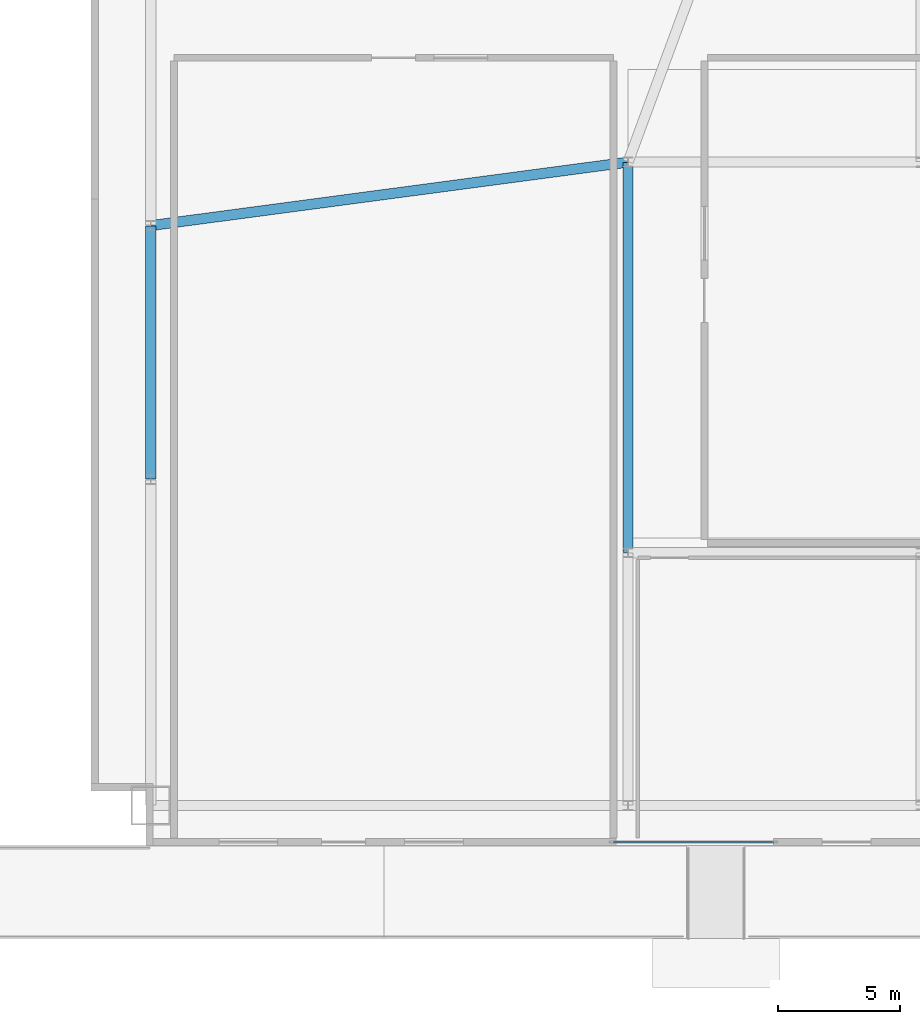
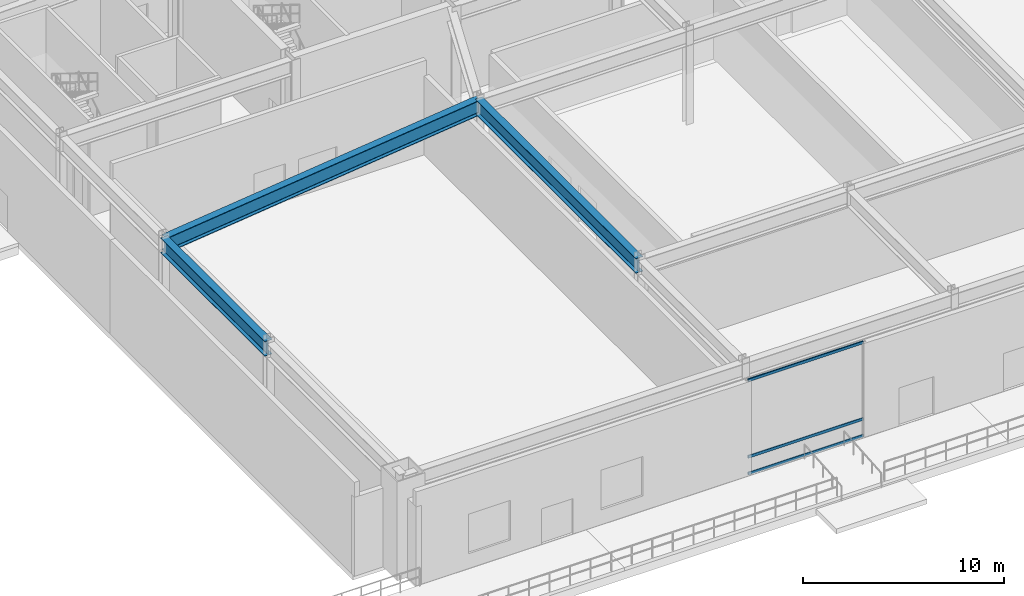
# One storey, part 5 of 17: 3 beams, 3 members, 1 element without a shape of its own.
"""IFC4 building model written with IfcOpenShell, lengths in metres."""

from ifc_helpers import new_model, si_unit, direction, frame, origin, origin_2d, place, context, subcontext, project, spatial, hollow_rectangle, i_section, extrude, source, transform, mapped, material, layer, layer_set, material_profile, profile_set, type_object, type_shapes, element, aggregate, save


model = new_model("IFC4")

# Units and contexts
model_context = context("Model", 3, precision=1e-05, world=origin(), true_north=direction((0.0, 1.0)))
body_context = subcontext(model_context, "Body", "Model", "MODEL_VIEW")
ifc_project = project(units=[si_unit("LENGTHUNIT", "METRE"), si_unit("AREAUNIT", "SQUARE_METRE"), si_unit("VOLUMEUNIT", "CUBIC_METRE"), si_unit("PLANEANGLEUNIT", "RADIAN"), si_unit("MASSUNIT", "GRAM", prefix="KILO")], contexts=[model_context])

# Site, building, storey
site_placement = place(None, origin())
site = spatial("IfcSite", under=ifc_project, at=site_placement, CompositionType="ELEMENT")
building_placement = place(site_placement, origin())
building = spatial("IfcBuilding", under=site, at=building_placement, Name="Varnel Quay Broadcast Tower", CompositionType="ELEMENT")
storey_placement = place(building_placement, origin())
storey = spatial("IfcBuildingStorey", under=building, at=storey_placement, Name="L00", CompositionType="ELEMENT", Elevation=0.0)

# Beams
ifc_material_1 = material(Name="Structural Steel CSA G40.21 350W", Category="steel")
ifc_material_profile_1 = material_profile(ifc_material_1, i_section(OverallWidth=0.41796875, OverallDepth=0.912109375, WebThickness=0.019287109375, FlangeThickness=0.031982421875, FilletRadius=0.02197265625, at=origin_2d()), Name="W920X342")
ifc_profile_set_1 = profile_set([ifc_material_profile_1], Name="Structural Steel CSA G40.21 350W")
beam_type = type_object("IfcBeamType", Name="Girder_W920X342", PredefinedType="BEAM", material=ifc_profile_set_1)
shared_shape_1 = source(origin(), body_context, "Body", "SweptSolid", [
    extrude(i_section(OverallWidth=0.41796875, OverallDepth=0.912109375, WebThickness=0.019287109375, FlangeThickness=0.031982421875, FilletRadius=0.02197265625, at=origin_2d()), origin(), (0.0, 0.0, 1.0), 10.35986328125),
])
beam_1_placement = place(storey_placement, frame((2.449951171875, 15.02001953125, 5.263916015625), z_axis=(0.0, 1.0, 0.0), x_axis=(-1.0, 0.0, 0.0)))
element("IfcBeam", 1, at=beam_1_placement, inside=storey, type_object=beam_type, Name="L00 Girder G-PW2", PredefinedType="BEAM", context=body_context, shape_type="MappedRepresentation", body=[
    mapped(shared_shape_1, transform((0.0, 0.0, 0.0), x_axis=(1.0, 0.0, 0.0), y_axis=(0.0, 1.0, 0.0), z_axis=(0.0, 0.0, 1.0), scale=1.0)),
])
shared_shape_2 = source(origin(), body_context, "Body", "SweptSolid", [
    extrude(i_section(OverallWidth=0.41796875, OverallDepth=0.912109375, WebThickness=0.019287109375, FlangeThickness=0.031982421875, FilletRadius=0.02197265625, at=origin_2d()), origin(), (0.0, 0.0, 1.0), 19.682373046875),
])
beam_2_placement = place(storey_placement, frame((2.4697265625, 25.402587890625, 5.263916015625), z_axis=(0.991272261072, 0.131830589885, 0.0), x_axis=(-0.131830589885, 0.991272261072, 0.0)))
element("IfcBeam", 2, at=beam_2_placement, inside=storey, type_object=beam_type, Name="L00 Girder G-STA2", PredefinedType="BEAM", context=body_context, shape_type="MappedRepresentation", body=[
    mapped(shared_shape_2, transform((0.0, 0.0, 0.0), x_axis=(1.0, 0.0, 0.0), y_axis=(0.0, 1.0, 0.0), z_axis=(0.0, 0.0, 1.0), scale=1.0)),
])
shared_shape_3 = source(origin(), body_context, "Body", "SweptSolid", [
    extrude(i_section(OverallWidth=0.41796875, OverallDepth=0.912109375, WebThickness=0.019287109375, FlangeThickness=0.031982421875, FilletRadius=0.02197265625, at=origin_2d()), origin(), (0.0, 0.0, 1.0), 15.9599609375),
])
type_shapes(beam_type, [shared_shape_1, shared_shape_2, shared_shape_3])
beam_3_placement = place(storey_placement, frame((22.0, 12.02001953125, 5.263916015625), z_axis=(0.0, 1.0, 0.0), x_axis=(-1.0, 0.0, 0.0)))
element("IfcBeam", 3, at=beam_3_placement, inside=storey, type_object=beam_type, Name="L00 Girder G-M2", PredefinedType="BEAM", context=body_context, shape_type="MappedRepresentation", body=[
    mapped(shared_shape_3, transform((0.0, 0.0, 0.0), x_axis=(1.0, 0.0, 0.0), y_axis=(0.0, 1.0, 0.0), z_axis=(0.0, 0.0, 1.0), scale=1.0)),
])

# Curtain wall, members
ifc_material_2 = material(Name="Anodised Bronze Aluminium 6063-T6", Category="aluminium")
ifc_layer = layer(ifc_material_2, 0.18994140625, Name="Anodised Bronze Aluminium 6063-T6")
ifc_layer_set = layer_set([ifc_layer], Name="Anodised Bronze Aluminium 6063-T6")
curtain_wall_type = type_object("IfcCurtainWallType", Name="CW_PodiumForum", PredefinedType="NOTDEFINED", material=ifc_layer_set)
curtain_wall_placement = place(storey_placement, origin())
curtain_wall = element("IfcCurtainWall", 4, at=curtain_wall_placement, inside=storey, type_object=curtain_wall_type, Name="L00 Waterfront Forum West Glazing", PredefinedType="NOTDEFINED")
ifc_material_profile_2 = material_profile(ifc_material_2, hollow_rectangle(XDim=0.06494140625, YDim=0.1650390625, WallThickness=0.00341796875, at=origin_2d()), Name="ALU65X165X3.5")
ifc_profile_set_2 = profile_set([ifc_material_profile_2], Name="Anodised Bronze Aluminium 6063-T6")
member_type = type_object("IfcMemberType", Name="Tran_CWS-01", PredefinedType="USERDEFINED", material=ifc_profile_set_2)
shared_shape_4 = source(origin(), body_context, "Body", "SweptSolid", [
    extrude(hollow_rectangle(XDim=0.06494140625, YDim=0.1650390625, WallThickness=0.00341796875, at=origin_2d()), origin(), (0.0, 0.0, 1.0), 6.60009765625),
])
type_shapes(member_type, [shared_shape_4])
member_1_placement = place(storey_placement, frame((21.375, 0.14990234375, 0.032470703125), z_axis=(1.0, 0.0, 0.0), x_axis=(0.0, 1.0, 0.0)))
member_1 = element("IfcMember", 5, at=member_1_placement, type_object=member_type, Name="CWS-01 transom 1.1", ObjectType="TRANSOM", PredefinedType="USERDEFINED", context=body_context, shape_type="MappedRepresentation", body=[
    mapped(shared_shape_4, transform((0.0, 0.0, 0.0), x_axis=(1.0, 0.0, 0.0), y_axis=(0.0, 1.0, 0.0), z_axis=(0.0, 0.0, 1.0), scale=1.0)),
])
member_2_placement = place(storey_placement, frame((21.375, 0.14990234375, 1.050048828125), z_axis=(1.0, 0.0, 0.0), x_axis=(0.0, 1.0, 0.0)))
member_2 = element("IfcMember", 6, at=member_2_placement, type_object=member_type, Name="CWS-01 transom 1.2", ObjectType="TRANSOM", PredefinedType="USERDEFINED", context=body_context, shape_type="MappedRepresentation", body=[
    mapped(shared_shape_4, transform((0.0, 0.0, 0.0), x_axis=(1.0, 0.0, 0.0), y_axis=(0.0, 1.0, 0.0), z_axis=(0.0, 0.0, 1.0), scale=1.0)),
])
member_3_placement = place(storey_placement, frame((21.375, 0.14990234375, 5.6875), z_axis=(1.0, 0.0, 0.0), x_axis=(0.0, 1.0, 0.0)))
member_3 = element("IfcMember", 7, at=member_3_placement, type_object=member_type, Name="CWS-01 transom 1.3", ObjectType="TRANSOM", PredefinedType="USERDEFINED", context=body_context, shape_type="MappedRepresentation", body=[
    mapped(shared_shape_4, transform((0.0, 0.0, 0.0), x_axis=(1.0, 0.0, 0.0), y_axis=(0.0, 1.0, 0.0), z_axis=(0.0, 0.0, 1.0), scale=1.0)),
])
aggregate(curtain_wall, [member_1, member_2, member_3])

save(model, "model.ifc")
